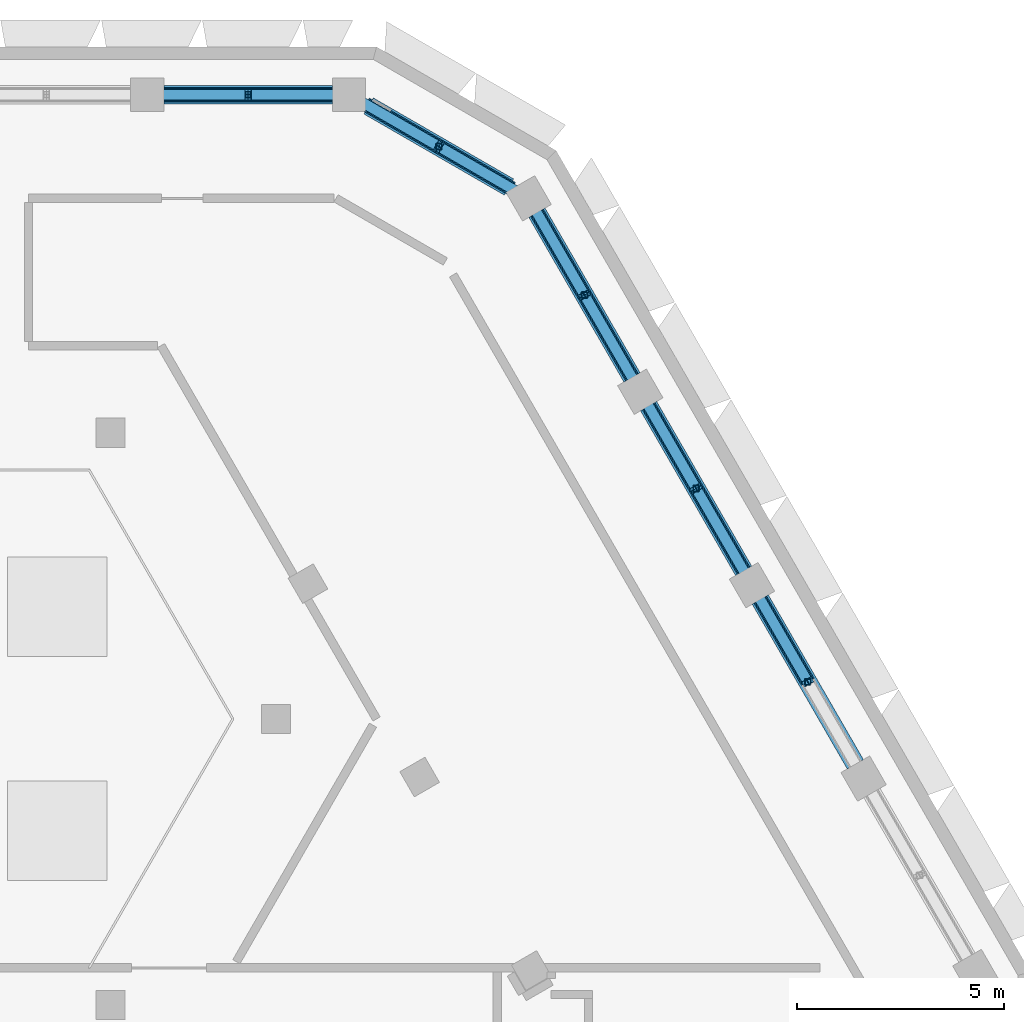
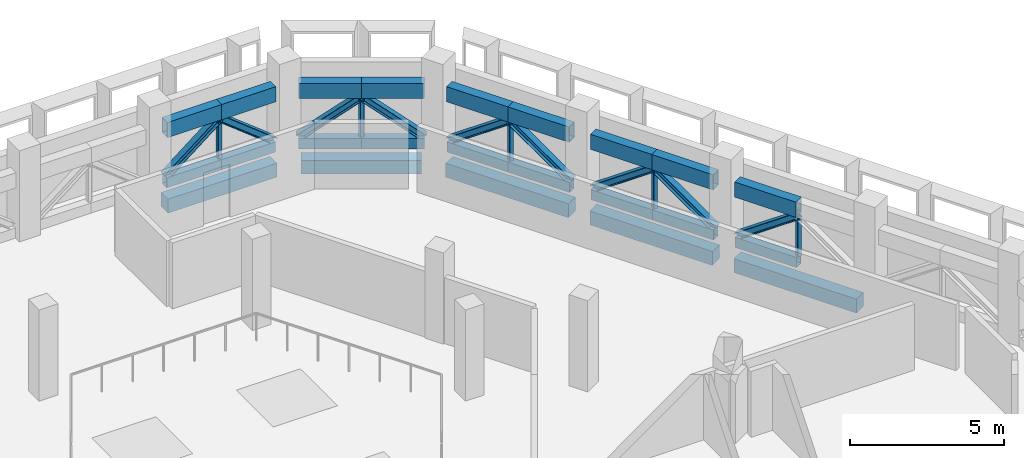
# One storey, part 9 of 24: 32 members, 5 beams.
"""IFC4 building model written with IfcOpenShell, lengths in metres."""

from ifc_helpers import new_model, si_unit, direction, frame, origin, origin_2d, place, context, subcontext, project, spatial, rectangle, hollow_rectangle, i_section, extrude, material, material_profile, profile_set, type_object, element, save


model = new_model("IFC4")

# Units and contexts
model_context = context("Model", 3, precision=1e-05, world=origin(), true_north=direction((0.0, 1.0)))
body_context = subcontext(model_context, "Body", "Model", "MODEL_VIEW")
ifc_project = project(units=[si_unit("LENGTHUNIT", "METRE"), si_unit("AREAUNIT", "SQUARE_METRE"), si_unit("VOLUMEUNIT", "CUBIC_METRE"), si_unit("PLANEANGLEUNIT", "RADIAN"), si_unit("MASSUNIT", "GRAM", prefix="KILO")], contexts=[model_context])

# Site, building, storey
site_placement = place(None, origin())
site = spatial("IfcSite", under=ifc_project, at=site_placement, CompositionType="ELEMENT")
building_placement = place(site_placement, origin())
building = spatial("IfcBuilding", under=site, at=building_placement, Name="Beryl Residences", CompositionType="ELEMENT")
storey_placement = place(building_placement, frame((0.0, 0.0, 199.199951171875)))
storey = spatial("IfcBuildingStorey", under=building, at=storey_placement, Name="L61", CompositionType="ELEMENT", Elevation=199.199951171875)

# Members
ifc_material_1 = material(Name="Steel S355", Category="steel")
ifc_material_profile_1 = material_profile(ifc_material_1, hollow_rectangle(XDim=0.300048828125, YDim=0.39990234375, WallThickness=0.02001953125, at=origin_2d()))
ifc_profile_set_1 = profile_set([ifc_material_profile_1], Name="Steel S355")
member_type_1 = type_object("IfcMemberType", Name="BB4 belt truss bottom chord WB 400x300x20", PredefinedType="CHORD", material=ifc_profile_set_1)
for number, where, z_axis, x_axis, name in (
    (1, (9.327880859375, 23.050048828125, 0.199951171875), (-1.0, 0.0, 0.0), (0.0, -1.0, 0.0), "Belt truss BB4-N-0a L61"),
    (2, (7.2958984375, 23.050048828125, 0.199951171875), (-1.0, 0.0, 0.0), (0.0, -1.0, 0.0), "Belt truss BB4-N-0b L61"),
):
    element("IfcMember", number, at=place(storey_placement, frame(where, z_axis=z_axis, x_axis=x_axis)), inside=storey, type_object=member_type_1, Name=name, PredefinedType="CHORD", context=body_context, shape_type="SweptSolid", body=[
        extrude(hollow_rectangle(XDim=0.300048828125, YDim=0.39990234375, WallThickness=0.02001953125, at=origin_2d()), origin(), (0.0, 0.0, 1.0), 2.031982421875),
    ])
member_1_placement = place(storey_placement, frame((20.7880859375, 8.89306640625, 0.199951171875), z_axis=(-0.499826922847, 0.866125306868, 0.0), x_axis=(-0.866125306868, -0.499826922847, 0.0)))
element("IfcMember", 3, at=member_1_placement, inside=storey, type_object=member_type_1, Name="Belt truss BB4-NE-1b L61", PredefinedType="CHORD", context=body_context, shape_type="SweptSolid", body=[
    extrude(hollow_rectangle(XDim=0.300048828125, YDim=0.39990234375, WallThickness=0.02001953125, at=origin_2d()), origin(), (0.0, 0.0, 1.0), 2.292724609375),
])
member_2_placement = place(storey_placement, frame((19.241943359375, 11.571044921875, 0.199951171875), z_axis=(-0.500011369369, 0.866018839577, 0.0), x_axis=(-0.866018839577, -0.500011369369, 0.0)))
element("IfcMember", 4, at=member_2_placement, inside=storey, type_object=member_type_1, Name="Belt truss BB4-NE-2a L61", PredefinedType="CHORD", context=body_context, shape_type="SweptSolid", body=[
    extrude(hollow_rectangle(XDim=0.300048828125, YDim=0.39990234375, WallThickness=0.02001953125, at=origin_2d()), origin(), (0.0, 0.0, 1.0), 2.2919921875),
])
member_3_placement = place(storey_placement, frame((18.095947265625, 13.555908203125, 0.199951171875), z_axis=(-0.499780828937, 0.866151905284, 0.0), x_axis=(-0.866151905284, -0.499780828937, 0.0)))
element("IfcMember", 5, at=member_3_placement, inside=storey, type_object=member_type_1, Name="Belt truss BB4-NE-2b L61", PredefinedType="CHORD", context=body_context, shape_type="SweptSolid", body=[
    extrude(hollow_rectangle(XDim=0.300048828125, YDim=0.39990234375, WallThickness=0.02001953125, at=origin_2d()), origin(), (0.0, 0.0, 1.0), 2.29296875),
])
for number, where, z_axis, x_axis, name in (
    (6, (16.550048828125, 16.23388671875, 0.199951171875), (-0.499965247104, 0.866045467449, 0.0), (-0.866045467449, -0.499965247104, 0.0), "Belt truss BB4-NE-3a L61"),
    (7, (15.404052734375, 18.218994140625, 0.199951171875), (-0.499965247104, 0.866045467449, 0.0), (-0.866045467449, -0.499965247104, 0.0), "Belt truss BB4-NE-3b L61"),
):
    element("IfcMember", number, at=place(storey_placement, frame(where, z_axis=z_axis, x_axis=x_axis)), inside=storey, type_object=member_type_1, Name=name, PredefinedType="CHORD", context=body_context, shape_type="SweptSolid", body=[
        extrude(hollow_rectangle(XDim=0.300048828125, YDim=0.39990234375, WallThickness=0.02001953125, at=origin_2d()), origin(), (0.0, 0.0, 1.0), 2.292236328125),
    ])
member_4_placement = place(storey_placement, frame((13.657958984375, 20.781005859375, 0.199951171875), z_axis=(-0.866008030666, 0.500030089916, 0.0), x_axis=(-0.500030089916, -0.866008030666, 0.0)))
element("IfcMember", 8, at=member_4_placement, inside=storey, type_object=member_type_1, Name="Belt truss BB4-NE-4a L61", PredefinedType="CHORD", context=body_context, shape_type="SweptSolid", body=[
    extrude(hollow_rectangle(XDim=0.300048828125, YDim=0.39990234375, WallThickness=0.02001953125, at=origin_2d()), origin(), (0.0, 0.0, 1.0), 2.037841796875),
])
member_5_placement = place(storey_placement, frame((11.89306640625, 21.800048828125, 0.199951171875), z_axis=(-0.866037978706, 0.499978218965, 0.0), x_axis=(-0.499978218965, -0.866037978706, 0.0)))
element("IfcMember", 9, at=member_5_placement, inside=storey, type_object=member_type_1, Name="Belt truss BB4-NE-4b L61", PredefinedType="CHORD", context=body_context, shape_type="SweptSolid", body=[
    extrude(hollow_rectangle(XDim=0.300048828125, YDim=0.39990234375, WallThickness=0.02001953125, at=origin_2d()), origin(), (0.0, 0.0, 1.0), 2.0380859375),
])
ifc_material_2 = material(Name="Steel S355", Category="steel")
ifc_material_profile_2 = material_profile(ifc_material_2, i_section(OverallWidth=0.25390625, OverallDepth=0.25390625, WebThickness=0.008544921875, FlangeThickness=0.01416015625, FilletRadius=0.013916015625, at=origin_2d()))
ifc_profile_set_2 = profile_set([ifc_material_profile_2], Name="Steel S355")
member_type_2 = type_object("IfcMemberType", Name="BD4 belt truss diagonal 250UC73", PredefinedType="BRACE", material=ifc_profile_set_2)
for number, where, z_axis, x_axis, name in (
    (10, (9.327880859375, 23.050048828125, 0.400146484375), (-0.785698828855, 0.0, 0.618609206475), (0.0, -1.0, 0.0), "Belt truss BD4-N-0a L61"),
    (11, (5.263916015625, 23.050048828125, 0.400146484375), (0.785698828855, 0.0, 0.618609206475), (0.0, 1.0, 0.0), "Belt truss BD4-N-0b L61"),
):
    element("IfcMember", number, at=place(storey_placement, frame(where, z_axis=z_axis, x_axis=x_axis)), inside=storey, type_object=member_type_2, Name=name, PredefinedType="BRACE", context=body_context, shape_type="SweptSolid", body=[
        extrude(i_section(OverallWidth=0.25390625, OverallDepth=0.25390625, WebThickness=0.008544921875, FlangeThickness=0.01416015625, FilletRadius=0.013916015625, at=origin_2d()), origin(), (0.0, 0.0, 1.0), 2.586181640625),
    ])
member_6_placement = place(storey_placement, frame((19.64208984375, 10.87890625, 0.400146484375), z_axis=(0.409901775215, -0.710298474562, 0.572238247333), x_axis=(0.866125306868, 0.499826922847, 0.0)))
element("IfcMember", 12, at=member_6_placement, inside=storey, type_object=member_type_2, Name="Belt truss BD4-NE-1b L61", PredefinedType="BRACE", context=body_context, shape_type="SweptSolid", body=[
    extrude(i_section(OverallWidth=0.25390625, OverallDepth=0.25390625, WebThickness=0.008544921875, FlangeThickness=0.01416015625, FilletRadius=0.013916015625, at=origin_2d()), origin(), (0.0, 0.0, 1.0), 2.7958984375),
])
member_7_placement = place(storey_placement, frame((19.241943359375, 11.571044921875, 0.400146484375), z_axis=(-0.410003487219, 0.710125341092, 0.572380241104), x_axis=(-0.866018839577, -0.500011369369, 0.0)))
element("IfcMember", 13, at=member_7_placement, inside=storey, type_object=member_type_2, Name="Belt truss BD4-NE-2a L61", PredefinedType="BRACE", context=body_context, shape_type="SweptSolid", body=[
    extrude(i_section(OverallWidth=0.25390625, OverallDepth=0.25390625, WebThickness=0.008544921875, FlangeThickness=0.01416015625, FilletRadius=0.013916015625, at=origin_2d()), origin(), (0.0, 0.0, 1.0), 2.795166015625),
])
member_8_placement = place(storey_placement, frame((16.949951171875, 15.5419921875, 0.400146484375), z_axis=(0.409876351226, -0.710341737798, 0.572202754492), x_axis=(0.866151905284, 0.499780828937, 0.0)))
element("IfcMember", 14, at=member_8_placement, inside=storey, type_object=member_type_2, Name="Belt truss BD4-NE-2b L61", PredefinedType="BRACE", context=body_context, shape_type="SweptSolid", body=[
    extrude(i_section(OverallWidth=0.25390625, OverallDepth=0.25390625, WebThickness=0.008544921875, FlangeThickness=0.01416015625, FilletRadius=0.013916015625, at=origin_2d()), origin(), (0.0, 0.0, 1.0), 2.7958984375),
])
for number, where, z_axis, x_axis, name in (
    (15, (16.550048828125, 16.23388671875, 0.400146484375), (-0.409978056811, 0.710168636542, 0.572344739301), (-0.866045467449, -0.499965247104, 0.0), "Belt truss BD4-NE-3a L61"),
    (16, (14.258056640625, 20.2041015625, 0.400146484375), (0.409978056811, -0.710168636542, 0.572344739301), (0.866045467449, 0.499965247104, 0.0), "Belt truss BD4-NE-3b L61"),
):
    element("IfcMember", number, at=place(storey_placement, frame(where, z_axis=z_axis, x_axis=x_axis)), inside=storey, type_object=member_type_2, Name=name, PredefinedType="BRACE", context=body_context, shape_type="SweptSolid", body=[
        extrude(i_section(OverallWidth=0.25390625, OverallDepth=0.25390625, WebThickness=0.008544921875, FlangeThickness=0.01416015625, FilletRadius=0.013916015625, at=origin_2d()), origin(), (0.0, 0.0, 1.0), 2.795166015625),
    ])
member_9_placement = place(storey_placement, frame((13.657958984375, 20.781005859375, 0.400146484375), z_axis=(-0.681185810561, 0.39331436897, 0.617486597954), x_axis=(-0.500030089916, -0.866008030666, 0.0)))
element("IfcMember", 17, at=member_9_placement, inside=storey, type_object=member_type_2, Name="Belt truss BD4-NE-4a L61", PredefinedType="BRACE", context=body_context, shape_type="SweptSolid", body=[
    extrude(i_section(OverallWidth=0.25390625, OverallDepth=0.25390625, WebThickness=0.008544921875, FlangeThickness=0.01416015625, FilletRadius=0.013916015625, at=origin_2d()), origin(), (0.0, 0.0, 1.0), 2.5908203125),
])
member_10_placement = place(storey_placement, frame((10.1279296875, 22.819091796875, 0.400146484375), z_axis=(0.681236311437, -0.393289123643, 0.617446963879), x_axis=(0.499978218965, 0.866037978706, 0.0)))
element("IfcMember", 18, at=member_10_placement, inside=storey, type_object=member_type_2, Name="Belt truss BD4-NE-4b L61", PredefinedType="BRACE", context=body_context, shape_type="SweptSolid", body=[
    extrude(i_section(OverallWidth=0.25390625, OverallDepth=0.25390625, WebThickness=0.008544921875, FlangeThickness=0.01416015625, FilletRadius=0.013916015625, at=origin_2d()), origin(), (0.0, 0.0, 1.0), 2.591064453125),
])
ifc_material_3 = material(Name="Steel S355", Category="steel")
ifc_material_profile_3 = material_profile(ifc_material_3, hollow_rectangle(XDim=0.14990234375, YDim=0.14990234375, WallThickness=0.009033203125, InnerFilletRadius=0.009033203125, OuterFilletRadius=0.01806640625, at=origin_2d()))
ifc_profile_set_3 = profile_set([ifc_material_profile_3], Name="Steel S355")
member_type_3 = type_object("IfcMemberType", Name="BQ4 belt truss post SHS 150x150x9", PredefinedType="POST", material=ifc_profile_set_3)
for number, where, z_axis, x_axis, name in (
    (19, (7.2958984375, 23.050048828125, 0.400146484375), (0.0, 0.0, 1.0), (1.0, 0.0, 0.0), "Belt truss BQ4-N-0 L61"),
    (20, (20.7880859375, 8.89306640625, 0.400146484375), (0.0, 0.0, 1.0), (1.0, 0.0, 0.0), "Belt truss BQ4-NE-1 L61"),
    (21, (18.095947265625, 13.555908203125, 0.400146484375), (0.0, 0.0, 1.0), (1.0, 0.0, 0.0), "Belt truss BQ4-NE-2 L61"),
    (22, (15.404052734375, 18.218994140625, 0.400146484375), (0.0, 0.0, 1.0), (1.0, 0.0, 0.0), "Belt truss BQ4-NE-3 L61"),
    (23, (11.89306640625, 21.800048828125, 0.400146484375), (0.0, 0.0, 1.0), (1.0, 0.0, 0.0), "Belt truss BQ4-NE-4 L61"),
):
    element("IfcMember", number, at=place(storey_placement, frame(where, z_axis=z_axis, x_axis=x_axis)), inside=storey, type_object=member_type_3, Name=name, PredefinedType="POST", context=body_context, shape_type="SweptSolid", body=[
        extrude(hollow_rectangle(XDim=0.14990234375, YDim=0.14990234375, WallThickness=0.009033203125, InnerFilletRadius=0.009033203125, OuterFilletRadius=0.01806640625, at=origin_2d()), origin(), (0.0, 0.0, 1.0), 1.599853515625),
    ])
ifc_material_4 = material(Name="Steel S355", Category="steel")
ifc_material_profile_4 = material_profile(ifc_material_4, hollow_rectangle(XDim=0.35009765625, YDim=0.60009765625, WallThickness=0.02490234375, at=origin_2d()))
ifc_profile_set_4 = profile_set([ifc_material_profile_4], Name="Steel S355")
member_type_4 = type_object("IfcMemberType", Name="BT4 belt truss top chord WB 600x350x25", PredefinedType="CHORD", material=ifc_profile_set_4)
for number, where, z_axis, x_axis, name in (
    (24, (9.327880859375, 23.050048828125, 2.300048828125), (-1.0, 0.0, 0.0), (0.0, -1.0, 0.0), "Belt truss BT4-N-0a L61"),
    (25, (7.2958984375, 23.050048828125, 2.300048828125), (-1.0, 0.0, 0.0), (0.0, -1.0, 0.0), "Belt truss BT4-N-0b L61"),
):
    element("IfcMember", number, at=place(storey_placement, frame(where, z_axis=z_axis, x_axis=x_axis)), inside=storey, type_object=member_type_4, Name=name, PredefinedType="CHORD", context=body_context, shape_type="SweptSolid", body=[
        extrude(hollow_rectangle(XDim=0.35009765625, YDim=0.60009765625, WallThickness=0.02490234375, at=origin_2d()), origin(), (0.0, 0.0, 1.0), 2.031982421875),
    ])
member_11_placement = place(storey_placement, frame((20.7880859375, 8.89306640625, 2.300048828125), z_axis=(-0.499826922847, 0.866125306868, 0.0), x_axis=(-0.866125306868, -0.499826922847, 0.0)))
element("IfcMember", 26, at=member_11_placement, inside=storey, type_object=member_type_4, Name="Belt truss BT4-NE-1b L61", PredefinedType="CHORD", context=body_context, shape_type="SweptSolid", body=[
    extrude(hollow_rectangle(XDim=0.35009765625, YDim=0.60009765625, WallThickness=0.02490234375, at=origin_2d()), origin(), (0.0, 0.0, 1.0), 2.292724609375),
])
member_12_placement = place(storey_placement, frame((19.241943359375, 11.571044921875, 2.300048828125), z_axis=(-0.500011369369, 0.866018839577, 0.0), x_axis=(-0.866018839577, -0.500011369369, 0.0)))
element("IfcMember", 27, at=member_12_placement, inside=storey, type_object=member_type_4, Name="Belt truss BT4-NE-2a L61", PredefinedType="CHORD", context=body_context, shape_type="SweptSolid", body=[
    extrude(hollow_rectangle(XDim=0.35009765625, YDim=0.60009765625, WallThickness=0.02490234375, at=origin_2d()), origin(), (0.0, 0.0, 1.0), 2.2919921875),
])
member_13_placement = place(storey_placement, frame((18.095947265625, 13.555908203125, 2.300048828125), z_axis=(-0.499780828937, 0.866151905284, 0.0), x_axis=(-0.866151905284, -0.499780828937, 0.0)))
element("IfcMember", 28, at=member_13_placement, inside=storey, type_object=member_type_4, Name="Belt truss BT4-NE-2b L61", PredefinedType="CHORD", context=body_context, shape_type="SweptSolid", body=[
    extrude(hollow_rectangle(XDim=0.35009765625, YDim=0.60009765625, WallThickness=0.02490234375, at=origin_2d()), origin(), (0.0, 0.0, 1.0), 2.29296875),
])
for number, where, z_axis, x_axis, name in (
    (29, (16.550048828125, 16.23388671875, 2.300048828125), (-0.499965247104, 0.866045467449, 0.0), (-0.866045467449, -0.499965247104, 0.0), "Belt truss BT4-NE-3a L61"),
    (30, (15.404052734375, 18.218994140625, 2.300048828125), (-0.499965247104, 0.866045467449, 0.0), (-0.866045467449, -0.499965247104, 0.0), "Belt truss BT4-NE-3b L61"),
):
    element("IfcMember", number, at=place(storey_placement, frame(where, z_axis=z_axis, x_axis=x_axis)), inside=storey, type_object=member_type_4, Name=name, PredefinedType="CHORD", context=body_context, shape_type="SweptSolid", body=[
        extrude(hollow_rectangle(XDim=0.35009765625, YDim=0.60009765625, WallThickness=0.02490234375, at=origin_2d()), origin(), (0.0, 0.0, 1.0), 2.292236328125),
    ])
member_14_placement = place(storey_placement, frame((13.657958984375, 20.781005859375, 2.300048828125), z_axis=(-0.866008030666, 0.500030089916, 0.0), x_axis=(-0.500030089916, -0.866008030666, 0.0)))
element("IfcMember", 31, at=member_14_placement, inside=storey, type_object=member_type_4, Name="Belt truss BT4-NE-4a L61", PredefinedType="CHORD", context=body_context, shape_type="SweptSolid", body=[
    extrude(hollow_rectangle(XDim=0.35009765625, YDim=0.60009765625, WallThickness=0.02490234375, at=origin_2d()), origin(), (0.0, 0.0, 1.0), 2.037841796875),
])
member_15_placement = place(storey_placement, frame((11.89306640625, 21.800048828125, 2.300048828125), z_axis=(-0.866037978706, 0.499978218965, 0.0), x_axis=(-0.499978218965, -0.866037978706, 0.0)))
element("IfcMember", 32, at=member_15_placement, inside=storey, type_object=member_type_4, Name="Belt truss BT4-NE-4b L61", PredefinedType="CHORD", context=body_context, shape_type="SweptSolid", body=[
    extrude(hollow_rectangle(XDim=0.35009765625, YDim=0.60009765625, WallThickness=0.02490234375, at=origin_2d()), origin(), (0.0, 0.0, 1.0), 2.0380859375),
])

# Beams
ifc_material_5 = material(Name="Concrete C50/60", Category="concrete")
ifc_material_profile_5 = material_profile(ifc_material_5, rectangle(XDim=0.449951171875, YDim=0.550048828125, at=origin_2d()))
ifc_profile_set_5 = profile_set([ifc_material_profile_5], Name="Concrete C50/60")
beam_type = type_object("IfcBeamType", Name="SB4 spandrel beam 450 x 550 C50/60", PredefinedType="SPANDREL", material=ifc_profile_set_5)
beam_1_placement = place(storey_placement, frame((9.327880859375, 23.050048828125, -0.675048828125), z_axis=(-1.0, 0.0, 0.0), x_axis=(0.0, -1.0, 0.0)))
element("IfcBeam", 33, at=beam_1_placement, inside=storey, type_object=beam_type, Name="SB4 L61 N-0", PredefinedType="SPANDREL", context=body_context, shape_type="SweptSolid", body=[
    extrude(rectangle(XDim=0.449951171875, YDim=0.550048828125, at=origin_2d()), origin(), (0.0, 0.0, 1.0), 4.06396484375),
])
for number, where, z_axis, x_axis, name in (
    (34, (21.93408203125, 6.907958984375, -0.675048828125), (-0.499896077001, 0.866085395443, 0.0), (-0.866085395443, -0.499896077001, 0.0), "SB4 L61 NE-1"),
    (35, (19.241943359375, 11.571044921875, -0.675048828125), (-0.499896077001, 0.866085395443, 0.0), (-0.866085395443, -0.499896077001, 0.0), "SB4 L61 NE-2"),
):
    element("IfcBeam", number, at=place(storey_placement, frame(where, z_axis=z_axis, x_axis=x_axis)), inside=storey, type_object=beam_type, Name=name, PredefinedType="SPANDREL", context=body_context, shape_type="SweptSolid", body=[
        extrude(rectangle(XDim=0.449951171875, YDim=0.550048828125, at=origin_2d()), origin(), (0.0, 0.0, 1.0), 4.5849609375),
    ])
beam_2_placement = place(storey_placement, frame((16.550048828125, 16.23388671875, -0.675048828125), z_axis=(-0.499965247104, 0.866045467449, 0.0), x_axis=(-0.866045467449, -0.499965247104, 0.0)))
element("IfcBeam", 36, at=beam_2_placement, inside=storey, type_object=beam_type, Name="SB4 L61 NE-3", PredefinedType="SPANDREL", context=body_context, shape_type="SweptSolid", body=[
    extrude(rectangle(XDim=0.449951171875, YDim=0.550048828125, at=origin_2d()), origin(), (0.0, 0.0, 1.0), 4.584228515625),
])
beam_3_placement = place(storey_placement, frame((13.5849609375, 20.822998046875, -0.675048828125), z_axis=(-0.865988935984, 0.500063158763, 0.0), x_axis=(-0.500063158763, -0.865988935984, 0.0)))
element("IfcBeam", 37, at=beam_3_placement, inside=storey, type_object=beam_type, Name="SB4 L61 NE-4", PredefinedType="SPANDREL", context=body_context, shape_type="SweptSolid", body=[
    extrude(rectangle(XDim=0.449951171875, YDim=0.550048828125, at=origin_2d()), origin(), (0.0, 0.0, 1.0), 3.90771484375),
])

save(model, "model.ifc")
